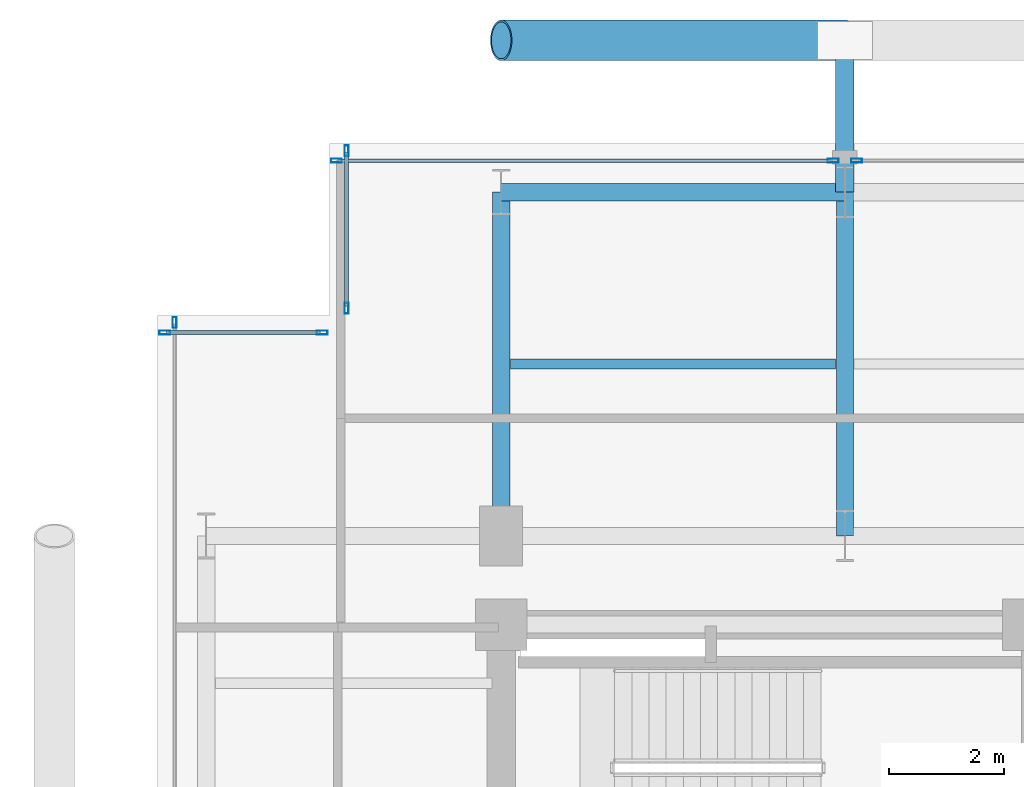
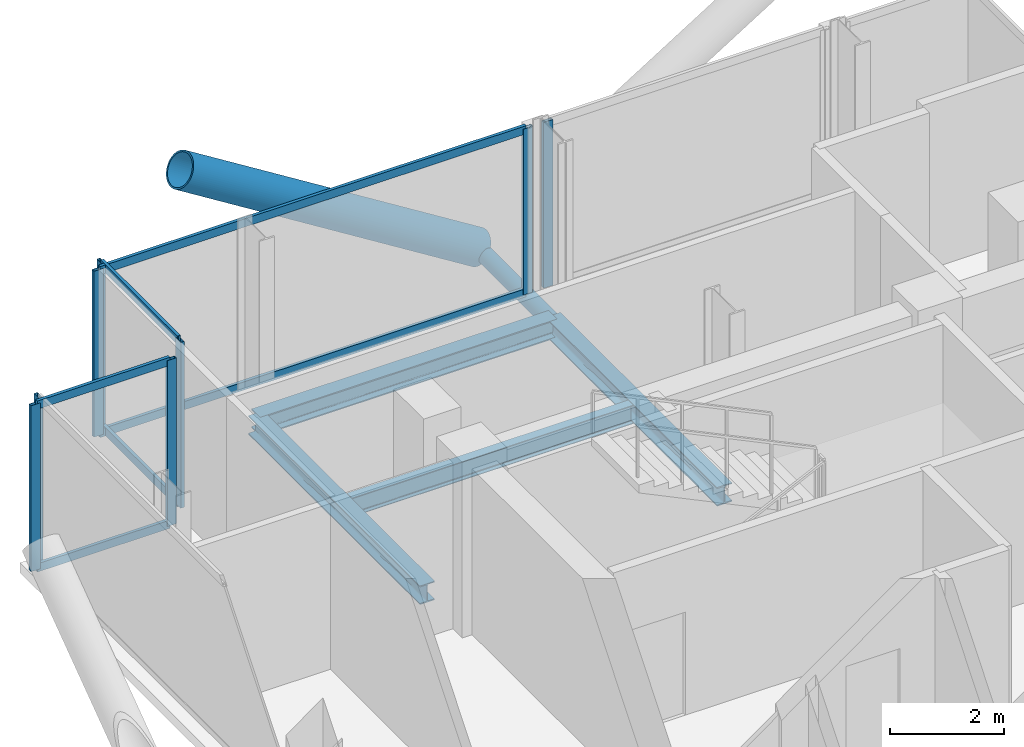
# One storey, part 13 of 21: 16 members, 4 beams, 5 elements without a shape of their own.
"""IFC4 building model written with IfcOpenShell, lengths in metres."""

from ifc_helpers import new_model, si_unit, direction, frame, origin, origin_2d, place, context, subcontext, project, spatial, hollow_rectangle, hollow_circle, i_section, extrude, material, layer, layer_set, material_profile, profile_set, type_object, element, aggregate, save


model = new_model("IFC4")

# Units and contexts
model_context = context("Model", 3, precision=1e-05, world=origin(), true_north=direction((0.0, 1.0)))
body_context = subcontext(model_context, "Body", "Model", "MODEL_VIEW")
ifc_project = project(units=[si_unit("LENGTHUNIT", "METRE"), si_unit("AREAUNIT", "SQUARE_METRE"), si_unit("VOLUMEUNIT", "CUBIC_METRE"), si_unit("PLANEANGLEUNIT", "RADIAN"), si_unit("MASSUNIT", "GRAM", prefix="KILO"), si_unit("THERMODYNAMICTEMPERATUREUNIT", "KELVIN"), si_unit("POWERUNIT", "WATT")], contexts=[model_context])

# Site, building, storey
site_placement = place(None, origin())
site = spatial("IfcSite", under=ifc_project, at=site_placement, CompositionType="ELEMENT")
building_placement = place(site_placement, origin())
building = spatial("IfcBuilding", under=site, at=building_placement, Name="Svarakhadi Broadcast Tower", CompositionType="ELEMENT")
storey_placement = place(building_placement, frame((0.0, 0.0, 223.64990234375)))
storey = spatial("IfcBuildingStorey", under=building, at=storey_placement, Name="L55", CompositionType="ELEMENT", Elevation=223.64990234375)

# Beam
ifc_material_1 = material(Name="Steel S355J2 (IS 2062 E350C)", Category="steel")
ifc_material_profile_1 = material_profile(ifc_material_1, i_section(OverallWidth=0.179931640625, OverallDepth=0.39990234375, WebThickness=0.008544921875, FlangeThickness=0.013427734375, FilletRadius=0.02099609375, at=origin_2d()), Name="NPB 400x180x66")
ifc_profile_set_1 = profile_set([ifc_material_profile_1], Name="Steel S355J2 (IS 2062 E350C)")
beam_type_1 = type_object("IfcBeamType", Name="Beam_NPB400", PredefinedType="BEAM", material=ifc_profile_set_1)
beam_placement = place(storey_placement, frame((6.159912109375, 32.14990234375, -0.409912109375), z_axis=(1.0, 0.0, 0.0), x_axis=(0.0, 1.0, 0.0)))
element("IfcBeam", 1, at=beam_placement, inside=storey, type_object=beam_type_1, Name="L55 Secondary Composite Beam SB008", PredefinedType="BEAM", context=body_context, shape_type="SweptSolid", body=[
    extrude(i_section(OverallWidth=0.179931640625, OverallDepth=0.39990234375, WebThickness=0.008544921875, FlangeThickness=0.013427734375, FilletRadius=0.02099609375, at=origin_2d()), origin(), (0.0, 0.0, 1.0), 5.68017578125),
])

# Curtain wall, member
ifc_material_2 = material(Name="Anodised Bronze Aluminium AA 6063-T6", Category="aluminium")
ifc_layer = layer(ifc_material_2, 0.18994140625)
ifc_layer_set = layer_set([ifc_layer], Name="Anodised Bronze Aluminium AA 6063-T6")
curtain_wall_type = type_object("IfcCurtainWallType", Name="CW_Sys_04", PredefinedType="NOTDEFINED", material=ifc_layer_set)
curtain_wall_1_placement = place(storey_placement, origin())
curtain_wall_1 = element("IfcCurtainWall", 2, at=curtain_wall_1_placement, inside=storey, type_object=curtain_wall_type, Name="L55 West Curtain Wall 03", PredefinedType="NOTDEFINED")
ifc_material_profile_2 = material_profile(ifc_material_2, hollow_rectangle(XDim=0.070068359375, YDim=0.18994140625, WallThickness=0.005615234375, at=origin_2d()), Name="ALU MULLION 190x70x6")
ifc_profile_set_2 = profile_set([ifc_material_profile_2], Name="Anodised Bronze Aluminium AA 6063-T6")
member_type_1 = type_object("IfcMemberType", Name="CW_Sys_04_Mul", PredefinedType="MULLION", material=ifc_profile_set_2)
member_1_placement = place(storey_placement, frame((0.300048828125, 32.875, 0.0), z_axis=(0.0, 0.0, 1.0), x_axis=(-1.0, 0.0, 0.0)))
member_1 = element("IfcMember", 3, at=member_1_placement, type_object=member_type_1, Name="CW-04 mullion 2", PredefinedType="MULLION", context=body_context, shape_type="SweptSolid", body=[
    extrude(hollow_rectangle(XDim=0.070068359375, YDim=0.18994140625, WallThickness=0.005615234375, at=origin_2d()), origin(), (0.0, 0.0, 1.0), 3.5400390625),
])
aggregate(curtain_wall_1, [member_1])

# Curtain wall, members
curtain_wall_2_placement = place(storey_placement, origin())
curtain_wall_2 = element("IfcCurtainWall", 4, at=curtain_wall_2_placement, inside=storey, type_object=curtain_wall_type, Name="L55 Unitised Facade Curtain Wall 04", PredefinedType="NOTDEFINED")
member_2_placement = place(storey_placement, frame((0.125, 32.699951171875, 0.0), z_axis=(0.0, 0.0, 1.0), x_axis=(0.0, 1.0, 0.0)))
member_2 = element("IfcMember", 5, at=member_2_placement, type_object=member_type_1, Name="CW-04 mullion 1", PredefinedType="MULLION", context=body_context, shape_type="SweptSolid", body=[
    extrude(hollow_rectangle(XDim=0.070068359375, YDim=0.18994140625, WallThickness=0.005615234375, at=origin_2d()), origin(), (0.0, 0.0, 1.0), 3.5400390625),
])
member_3_placement = place(storey_placement, frame((2.875, 32.699951171875, 0.0), z_axis=(0.0, 0.0, 1.0), x_axis=(0.0, 1.0, 0.0)))
member_3 = element("IfcMember", 6, at=member_3_placement, type_object=member_type_1, Name="CW-04 mullion 2", PredefinedType="MULLION", context=body_context, shape_type="SweptSolid", body=[
    extrude(hollow_rectangle(XDim=0.070068359375, YDim=0.18994140625, WallThickness=0.005615234375, at=origin_2d()), origin(), (0.0, 0.0, 1.0), 3.5400390625),
])

curtain_wall_3_placement = place(storey_placement, origin())
curtain_wall_3 = element("IfcCurtainWall", 7, at=curtain_wall_3_placement, inside=storey, type_object=curtain_wall_type, Name="L55 Unitised Facade Curtain Wall 05", PredefinedType="NOTDEFINED")
member_4_placement = place(storey_placement, frame((3.300048828125, 33.125, 0.0), z_axis=(0.0, 0.0, 1.0), x_axis=(-1.0, 0.0, 0.0)))
member_4 = element("IfcMember", 8, at=member_4_placement, type_object=member_type_1, Name="CW-04 mullion 1", PredefinedType="MULLION", context=body_context, shape_type="SweptSolid", body=[
    extrude(hollow_rectangle(XDim=0.070068359375, YDim=0.18994140625, WallThickness=0.005615234375, at=origin_2d()), origin(), (0.0, 0.0, 1.0), 3.5400390625),
])
member_5_placement = place(storey_placement, frame((3.300048828125, 35.875, 0.0), z_axis=(0.0, 0.0, 1.0), x_axis=(-1.0, 0.0, 0.0)))
member_5 = element("IfcMember", 9, at=member_5_placement, type_object=member_type_1, Name="CW-04 mullion 2", PredefinedType="MULLION", context=body_context, shape_type="SweptSolid", body=[
    extrude(hollow_rectangle(XDim=0.070068359375, YDim=0.18994140625, WallThickness=0.005615234375, at=origin_2d()), origin(), (0.0, 0.0, 1.0), 3.5400390625),
])

curtain_wall_4_placement = place(storey_placement, origin())
curtain_wall_4 = element("IfcCurtainWall", 10, at=curtain_wall_4_placement, inside=storey, type_object=curtain_wall_type, Name="L55 Unitised Facade Curtain Wall 06 Bay 1", PredefinedType="NOTDEFINED")
member_6_placement = place(storey_placement, frame((3.125, 35.699951171875, 0.0), z_axis=(0.0, 0.0, 1.0), x_axis=(0.0, 1.0, 0.0)))
member_6 = element("IfcMember", 11, at=member_6_placement, type_object=member_type_1, Name="CW-04 mullion 1", PredefinedType="MULLION", context=body_context, shape_type="SweptSolid", body=[
    extrude(hollow_rectangle(XDim=0.070068359375, YDim=0.18994140625, WallThickness=0.005615234375, at=origin_2d()), origin(), (0.0, 0.0, 1.0), 3.5400390625),
])
member_7_placement = place(storey_placement, frame((11.794921875, 35.699951171875, 0.0), z_axis=(0.0, 0.0, 1.0), x_axis=(0.0, 1.0, 0.0)))
member_7 = element("IfcMember", 12, at=member_7_placement, type_object=member_type_1, Name="CW-04 mullion 2", PredefinedType="MULLION", context=body_context, shape_type="SweptSolid", body=[
    extrude(hollow_rectangle(XDim=0.070068359375, YDim=0.18994140625, WallThickness=0.005615234375, at=origin_2d()), origin(), (0.0, 0.0, 1.0), 3.5400390625),
])

# Curtain wall, member
curtain_wall_5_placement = place(storey_placement, origin())
curtain_wall_5 = element("IfcCurtainWall", 13, at=curtain_wall_5_placement, inside=storey, type_object=curtain_wall_type, Name="L55 Unitised Facade Curtain Wall 06 Bay 2", PredefinedType="NOTDEFINED")
member_8_placement = place(storey_placement, frame((12.205078125, 35.699951171875, 0.0), z_axis=(0.0, 0.0, 1.0), x_axis=(0.0, 1.0, 0.0)))
member_8 = element("IfcMember", 14, at=member_8_placement, type_object=member_type_1, Name="CW-04 mullion 1", PredefinedType="MULLION", context=body_context, shape_type="SweptSolid", body=[
    extrude(hollow_rectangle(XDim=0.070068359375, YDim=0.18994140625, WallThickness=0.005615234375, at=origin_2d()), origin(), (0.0, 0.0, 1.0), 3.5400390625),
])
aggregate(curtain_wall_5, [member_8])

# Member
ifc_material_profile_3 = material_profile(ifc_material_2, hollow_rectangle(XDim=0.06494140625, YDim=0.175048828125, WallThickness=0.0048828125, at=origin_2d()), Name="ALU TRANSOM 175x65x5")
ifc_profile_set_3 = profile_set([ifc_material_profile_3], Name="Anodised Bronze Aluminium AA 6063-T6")
member_type_2 = type_object("IfcMemberType", Name="CW_Sys_04_Trn", PredefinedType="USERDEFINED", material=ifc_profile_set_3)
member_9_placement = place(storey_placement, frame((0.159912109375, 32.699951171875, 0.03271484375), z_axis=(1.0, 0.0, 0.0), x_axis=(0.0, 1.0, 0.0)))
member_9 = element("IfcMember", 15, at=member_9_placement, type_object=member_type_2, Name="CW-04 transom 1.1", ObjectType="TRANSOM", PredefinedType="USERDEFINED", context=body_context, shape_type="SweptSolid", body=[
    extrude(hollow_rectangle(XDim=0.06494140625, YDim=0.175048828125, WallThickness=0.0048828125, at=origin_2d()), origin(), (0.0, 0.0, 1.0), 2.68017578125),
])

member_10_placement = place(storey_placement, frame((0.159912109375, 32.699951171875, 3.507568359375), z_axis=(1.0, 0.0, 0.0), x_axis=(0.0, 1.0, 0.0)))
member_10 = element("IfcMember", 16, at=member_10_placement, type_object=member_type_2, Name="CW-04 transom 1.2", ObjectType="TRANSOM", PredefinedType="USERDEFINED", context=body_context, shape_type="SweptSolid", body=[
    extrude(hollow_rectangle(XDim=0.06494140625, YDim=0.175048828125, WallThickness=0.0048828125, at=origin_2d()), origin(), (0.0, 0.0, 1.0), 2.68017578125),
])

aggregate(curtain_wall_2, [member_2, member_3, member_9, member_10])

member_11_placement = place(storey_placement, frame((3.300048828125, 33.159912109375, 0.03271484375), z_axis=(0.0, 1.0, 0.0), x_axis=(-1.0, 0.0, 0.0)))
member_11 = element("IfcMember", 17, at=member_11_placement, type_object=member_type_2, Name="CW-04 transom 1.1", ObjectType="TRANSOM", PredefinedType="USERDEFINED", context=body_context, shape_type="SweptSolid", body=[
    extrude(hollow_rectangle(XDim=0.06494140625, YDim=0.175048828125, WallThickness=0.0048828125, at=origin_2d()), origin(), (0.0, 0.0, 1.0), 2.68017578125),
])

member_12_placement = place(storey_placement, frame((3.300048828125, 33.159912109375, 3.507568359375), z_axis=(0.0, 1.0, 0.0), x_axis=(-1.0, 0.0, 0.0)))
member_12 = element("IfcMember", 18, at=member_12_placement, type_object=member_type_2, Name="CW-04 transom 1.2", ObjectType="TRANSOM", PredefinedType="USERDEFINED", context=body_context, shape_type="SweptSolid", body=[
    extrude(hollow_rectangle(XDim=0.06494140625, YDim=0.175048828125, WallThickness=0.0048828125, at=origin_2d()), origin(), (0.0, 0.0, 1.0), 2.68017578125),
])

aggregate(curtain_wall_3, [member_4, member_5, member_11, member_12])

member_13_placement = place(storey_placement, frame((3.159912109375, 35.699951171875, 0.03271484375), z_axis=(1.0, 0.0, 0.0), x_axis=(0.0, 1.0, 0.0)))
member_13 = element("IfcMember", 19, at=member_13_placement, type_object=member_type_2, Name="CW-04 transom 1.1", ObjectType="TRANSOM", PredefinedType="USERDEFINED", context=body_context, shape_type="SweptSolid", body=[
    extrude(hollow_rectangle(XDim=0.06494140625, YDim=0.175048828125, WallThickness=0.0048828125, at=origin_2d()), origin(), (0.0, 0.0, 1.0), 8.60009765625),
])

member_14_placement = place(storey_placement, frame((3.159912109375, 35.699951171875, 3.507568359375), z_axis=(1.0, 0.0, 0.0), x_axis=(0.0, 1.0, 0.0)))
member_14 = element("IfcMember", 20, at=member_14_placement, type_object=member_type_2, Name="CW-04 transom 1.2", ObjectType="TRANSOM", PredefinedType="USERDEFINED", context=body_context, shape_type="SweptSolid", body=[
    extrude(hollow_rectangle(XDim=0.06494140625, YDim=0.175048828125, WallThickness=0.0048828125, at=origin_2d()), origin(), (0.0, 0.0, 1.0), 8.60009765625),
])

aggregate(curtain_wall_4, [member_6, member_7, member_13, member_14])

# Members
ifc_material_3 = material(Name="Steel S460ML (IS 2062 E450BR)", Category="steel")
ifc_material_profile_4 = material_profile(ifc_material_3, hollow_circle(Radius=0.35546875, WallThickness=0.034912109375, at=origin_2d()), Name="CHS 711x35")
ifc_profile_set_4 = profile_set([ifc_material_profile_4], Name="Steel S460ML (IS 2062 E450BR)")
member_type_3 = type_object("IfcMemberType", Name="Exo_Brace_CHS711", PredefinedType="BRACE", material=ifc_profile_set_4)
member_15_placement = place(storey_placement, frame((12.0, 37.800048828125, -0.371826171875), z_axis=(-0.847998304005, 0.0, 0.529998940003), x_axis=(0.0, -1.0, 0.0)))
element("IfcMember", 21, at=member_15_placement, inside=storey, type_object=member_type_3, Name="L55 Exposed Bronze Exoskeleton Diagonal N06", PredefinedType="BRACE", context=body_context, shape_type="SweptSolid", body=[
    extrude(hollow_circle(Radius=0.35546875, WallThickness=0.034912109375, at=origin_2d()), origin(), (0.0, 0.0, 1.0), 7.075439453125),
])
ifc_material_profile_5 = material_profile(ifc_material_3, hollow_circle(Radius=0.161865234375, WallThickness=0.01611328125, at=origin_2d()), Name="CHS 323.9x16")
ifc_profile_set_5 = profile_set([ifc_material_profile_5], Name="Steel S460ML (IS 2062 E450BR)")
member_type_4 = type_object("IfcMemberType", Name="Exo_Radial_Strut_Z2", PredefinedType="STRUT", material=ifc_profile_set_5)
member_16_placement = place(storey_placement, frame((12.0, 37.800048828125, -0.371826171875), z_axis=(0.0, -1.0, 0.0), x_axis=(1.0, 0.0, 0.0)))
element("IfcMember", 22, at=member_16_placement, inside=storey, type_object=member_type_4, Name="L55 Exoskeleton Radial Tie Strut N05", PredefinedType="STRUT", context=body_context, shape_type="SweptSolid", body=[
    extrude(hollow_circle(Radius=0.161865234375, WallThickness=0.01611328125, at=origin_2d()), origin(), (0.0, 0.0, 1.0), 2.650146484375),
])

# Beams
ifc_material_profile_6 = material_profile(ifc_material_1, i_section(OverallWidth=0.300048828125, OverallDepth=0.39990234375, WebThickness=0.013427734375, FlangeThickness=0.02392578125, FilletRadius=0.027099609375, at=origin_2d()), Name="WPB 400x300x155")
ifc_profile_set_6 = profile_set([ifc_material_profile_6], Name="Steel S355J2 (IS 2062 E350C)")
beam_type_2 = type_object("IfcBeamType", Name="Girder_WPB400", PredefinedType="USERDEFINED", material=ifc_profile_set_6)
for number, where, z_axis, x_axis, name in (
    (23, (6.0, 35.14990234375, -0.409912109375), (1.0, 0.0, 0.0), (0.0, 1.0, 0.0), "L55 Primary E-W Girder G031"),
    (24, (6.0, 29.14990234375, -0.409912109375), (0.0, 1.0, 0.0), (-1.0, 0.0, 0.0), "L55 Primary N-S Girder G041"),
    (25, (12.0, 29.14990234375, -0.409912109375), (0.0, 1.0, 0.0), (-1.0, 0.0, 0.0), "L55 Primary N-S Girder G045"),
):
    element("IfcBeam", number, at=place(storey_placement, frame(where, z_axis=z_axis, x_axis=x_axis)), inside=storey, type_object=beam_type_2, Name=name, ObjectType="GIRDER", PredefinedType="USERDEFINED", context=body_context, shape_type="SweptSolid", body=[
        extrude(i_section(OverallWidth=0.300048828125, OverallDepth=0.39990234375, WebThickness=0.013427734375, FlangeThickness=0.02392578125, FilletRadius=0.027099609375, at=origin_2d()), origin(), (0.0, 0.0, 1.0), 6.0),
    ])

save(model, "model.ifc")
